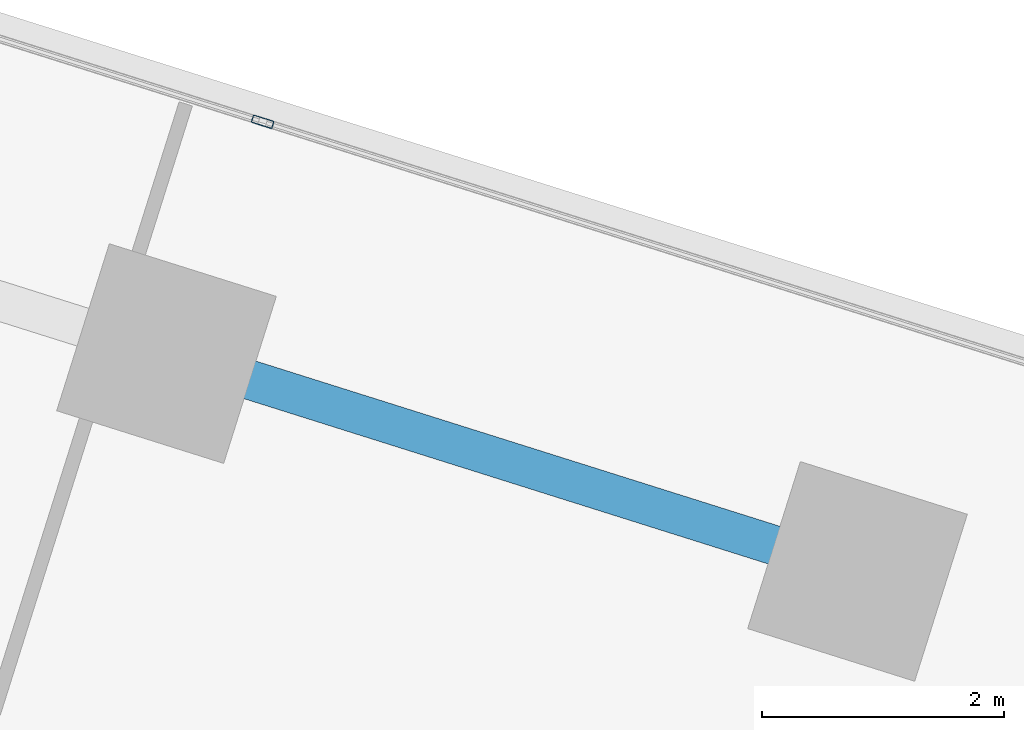
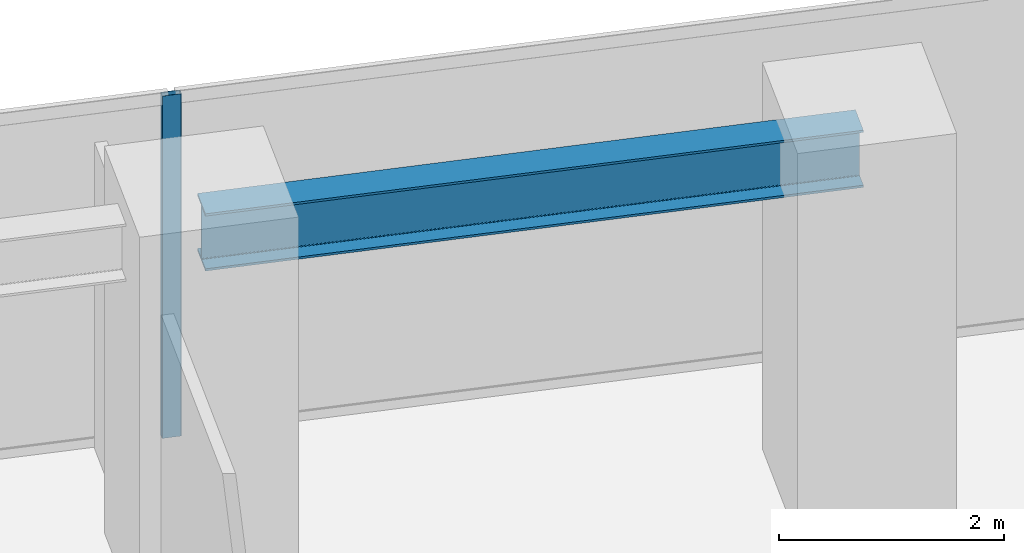
# One storey, part 11 of 28: 1 beam, 1 member, 1 element without a shape of its own.
"""IFC4 building model written with IfcOpenShell, lengths in metres."""

from ifc_helpers import new_model, si_unit, direction, frame, origin, origin_2d, place, context, subcontext, project, spatial, hollow_rectangle, i_section, extrude, source, transform, mapped, material, material_profile, profile_set, type_object, element, aggregate, save


model = new_model("IFC4")

# Units and contexts
model_context = context("Model", 3, precision=1e-05, world=origin(), true_north=direction((0.0, 1.0)))
body_context = subcontext(model_context, "Body", "Model", "MODEL_VIEW")
ifc_project = project(units=[si_unit("LENGTHUNIT", "METRE"), si_unit("AREAUNIT", "SQUARE_METRE"), si_unit("VOLUMEUNIT", "CUBIC_METRE"), si_unit("PLANEANGLEUNIT", "RADIAN"), si_unit("MASSUNIT", "GRAM", prefix="KILO")], contexts=[model_context])

# Site, building, storey
site_placement = place(None, origin())
site = spatial("IfcSite", under=ifc_project, at=site_placement, CompositionType="ELEMENT")
building_placement = place(site_placement, origin())
building = spatial("IfcBuilding", under=site, at=building_placement, Name="Torre Montelarca", CompositionType="ELEMENT")
storey_placement = place(building_placement, frame((0.0, 0.0, 112.60009765625)))
storey = spatial("IfcBuildingStorey", under=building, at=storey_placement, Name="L25", CompositionType="ELEMENT", Elevation=112.60009765625)

# Beam
ifc_material_1 = material(Name="Steel ASTM A992 Grade 50", Category="steel")
ifc_material_profile_1 = material_profile(ifc_material_1, i_section(OverallWidth=0.326904296875, OverallDepth=0.6220703125, WebThickness=0.015380859375, FlangeThickness=0.0244140625, FilletRadius=0.014892578125, at=origin_2d()), Name="W610X195", Category="steel")
ifc_profile_set_1 = profile_set([ifc_material_profile_1], Name="Steel ASTM A992 Grade 50")
beam_type = type_object("IfcBeamType", Name="BM-G-W610H", PredefinedType="BEAM", material=ifc_profile_set_1)
shared_shape_1 = source(origin(), body_context, "Body", "SweptSolid", [
    extrude(i_section(OverallWidth=0.326904296875, OverallDepth=0.6220703125, WebThickness=0.015380859375, FlangeThickness=0.0244140625, FilletRadius=0.014892578125, at=origin_2d()), origin(), (0.0, 0.0, 1.0), 6.0),
])
beam_placement = place(storey_placement, frame((50.9833984375, 37.38330078125, 3.64892578125), z_axis=(0.953720315082, -0.300695128993, 0.0), x_axis=(0.300695128993, 0.953720315082, 0.0)))
element("IfcBeam", 1, at=beam_placement, inside=storey, type_object=beam_type, Name="L25 Grid Girder X 48.0-54.0 at Y=46.0", PredefinedType="BEAM", context=body_context, shape_type="MappedRepresentation", body=[
    mapped(shared_shape_1, transform((0.0, 0.0, 0.0), scale=1.0)),
])

# Curtain wall, member
ifc_material_2 = material(Name="Insulated low-E laminated glass", Category="glass")
curtain_wall_type = type_object("IfcCurtainWallType", Name="CW-SYS-Z1", PredefinedType="USERDEFINED", material=ifc_material_2)
curtain_wall_placement = place(storey_placement, origin())
curtain_wall = element("IfcCurtainWall", 2, at=curtain_wall_placement, inside=storey, type_object=curtain_wall_type, Name="L25 Curtain Wall Run CW-T3-L25-E08-B1", ObjectType="UNITISED GLAZING", PredefinedType="USERDEFINED")
ifc_material_3 = material(Name="Anodised aluminium AA 6063-T6", Category="aluminium")
ifc_material_profile_2 = material_profile(ifc_material_3, hollow_rectangle(XDim=0.06494140625, YDim=0.179931640625, WallThickness=0.00390625, InnerFilletRadius=0.00390625, OuterFilletRadius=0.008056640625, at=origin_2d()), Name="ALU65X180X4", Category="aluminium")
ifc_profile_set_2 = profile_set([ifc_material_profile_2], Name="Anodised aluminium AA 6063-T6")
member_type = type_object("IfcMemberType", Name="CWM-ALU180", PredefinedType="MULLION", material=ifc_profile_set_2)
shared_shape_2 = source(origin(), body_context, "Body", "SweptSolid", [
    extrude(hollow_rectangle(XDim=0.06494140625, YDim=0.179931640625, WallThickness=0.00390625, InnerFilletRadius=0.00390625, OuterFilletRadius=0.008056640625, at=origin_2d()), origin(), (0.0, 0.0, 1.0), 3.719970703125),
])
member_placement = place(storey_placement, frame((51.779541015625, 39.302734375, 0.0), z_axis=(0.0, 0.0, 1.0), x_axis=(-0.300702638073, -0.953717947538, 0.0)))
member = element("IfcMember", 3, at=member_placement, type_object=member_type, Name="CW mullion 2", PredefinedType="MULLION", context=body_context, shape_type="MappedRepresentation", body=[
    mapped(shared_shape_2, transform((0.0, 0.0, 0.0), scale=1.0)),
])
aggregate(curtain_wall, [member])

save(model, "model.ifc")
